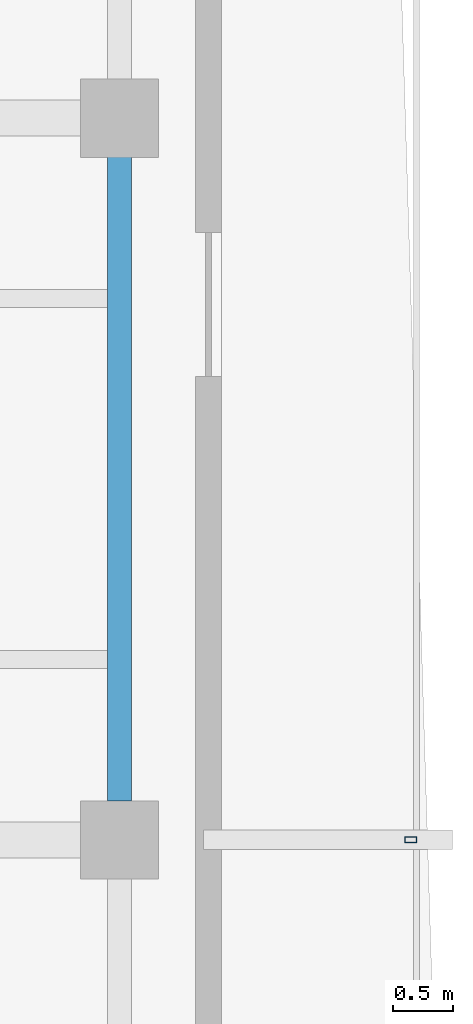
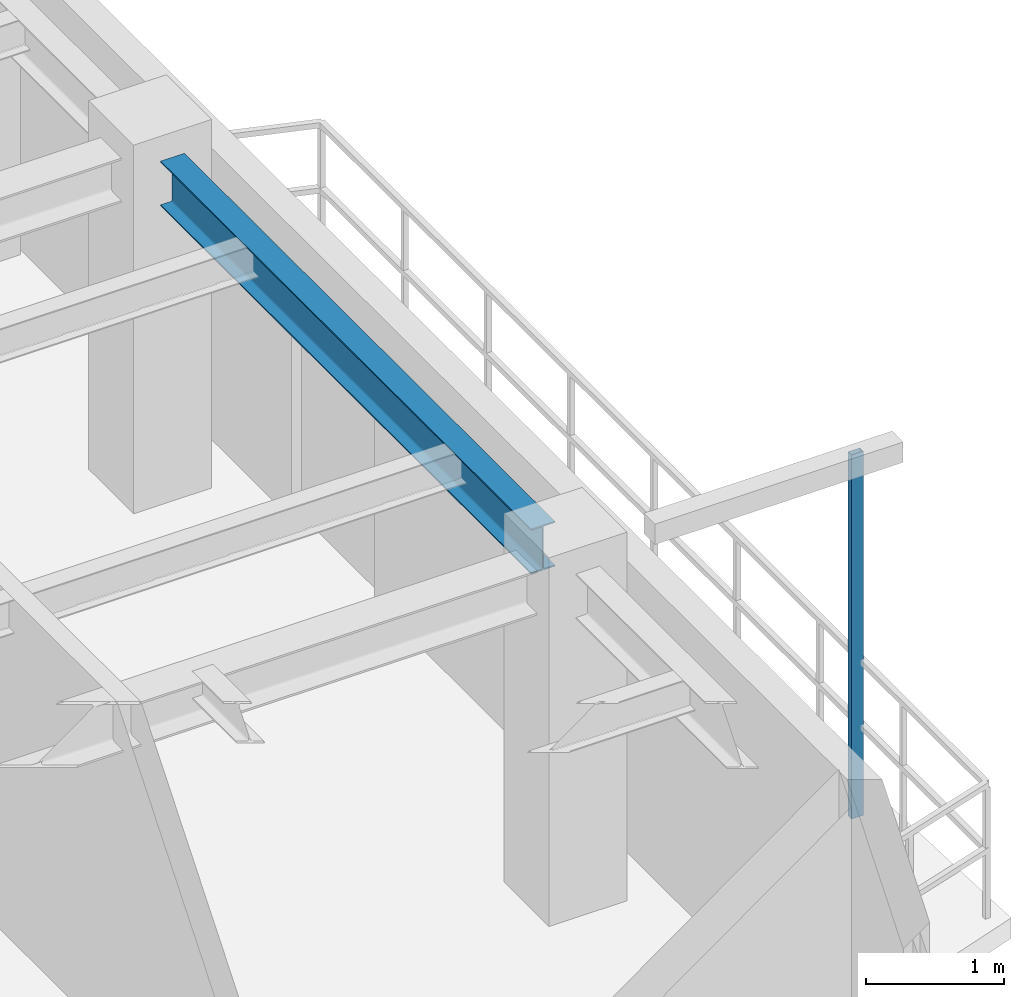
# One storey, part 7 of 14: 1 beam, 1 member.
"""IFC4 building model written with IfcOpenShell, lengths in metres."""

from ifc_helpers import new_model, si_unit, direction, frame, origin, origin_2d, place, context, subcontext, project, spatial, hollow_rectangle, i_section, extrude, source, transform, mapped, material, material_profile, profile_set, type_object, element, save


model = new_model("IFC4")

# Units and contexts
model_context = context("Model", 3, precision=1e-05, world=origin(), true_north=direction((0.0, 1.0)))
body_context = subcontext(model_context, "Body", "Model", "MODEL_VIEW")
ifc_project = project(units=[si_unit("LENGTHUNIT", "METRE"), si_unit("AREAUNIT", "SQUARE_METRE"), si_unit("VOLUMEUNIT", "CUBIC_METRE"), si_unit("PLANEANGLEUNIT", "RADIAN"), si_unit("MASSUNIT", "GRAM", prefix="KILO"), si_unit("THERMODYNAMICTEMPERATUREUNIT", "KELVIN"), si_unit("POWERUNIT", "WATT")], contexts=[model_context])

# Site, building, storey
site_placement = place(None, origin())
site = spatial("IfcSite", under=ifc_project, at=site_placement, CompositionType="ELEMENT")
building_placement = place(site_placement, origin())
building = spatial("IfcBuilding", under=site, at=building_placement, Name="Qiaomeng Ring Towers", CompositionType="ELEMENT")
storey_placement = place(building_placement, frame((0.0, 0.0, 260.0)))
storey = spatial("IfcBuildingStorey", under=building, at=storey_placement, Name="L76", CompositionType="ELEMENT", Elevation=260.0)

# Beam
ifc_material_1 = material(Name="Steel Q355B", Category="steel")
ifc_material_profile_1 = material_profile(ifc_material_1, i_section(OverallWidth=0.198974609375, OverallDepth=0.39599609375, WebThickness=0.007080078125, FlangeThickness=0.010986328125, FilletRadius=0.01611328125, at=origin_2d()), Name="HN 396x199x7x11")
ifc_profile_set_1 = profile_set([ifc_material_profile_1], Name="Steel Q355B")
beam_type = type_object("IfcBeamType", Name="STR-BM-HN396", PredefinedType="SPANDREL", material=ifc_profile_set_1)
shared_shape_1 = source(origin(), body_context, "Body", "SweptSolid", [
    extrude(i_section(OverallWidth=0.198974609375, OverallDepth=0.39599609375, WebThickness=0.007080078125, FlangeThickness=0.010986328125, FilletRadius=0.01611328125, at=origin_2d()), origin(), (0.0, 0.0, 1.0), 5.35205078125),
])
beam_placement = place(storey_placement, frame((33.85009765625, 20.323974609375, 2.83203125), z_axis=(0.0, 1.0, 0.0), x_axis=(-1.0, 0.0, 0.0)))
element("IfcBeam", 1, at=beam_placement, inside=storey, type_object=beam_type, Name="L76 beam STR-SP-L76-T1-E2-E3", PredefinedType="SPANDREL", context=body_context, shape_type="MappedRepresentation", body=[
    mapped(shared_shape_1, transform((0.0, 0.0, 0.0), x_axis=(1.0, 0.0, 0.0), y_axis=(0.0, 1.0, 0.0), z_axis=(0.0, 0.0, 1.0), scale=1.0)),
])

# Member
ifc_material_2 = material(Name="Stainless steel 316", Category="steel")
ifc_material_profile_2 = material_profile(ifc_material_2, hollow_rectangle(XDim=0.050048828125, YDim=0.10009765625, WallThickness=0.00390625, at=origin_2d()), Name="SS TRELLIS 100x50")
ifc_profile_set_2 = profile_set([ifc_material_profile_2], Name="Stainless steel 316")
member_type = type_object("IfcMemberType", Name="ARC-TR-POST2", PredefinedType="STUD", material=ifc_profile_set_2)
shared_shape_2 = source(origin(), body_context, "Body", "SweptSolid", [
    extrude(hollow_rectangle(XDim=0.050048828125, YDim=0.10009765625, WallThickness=0.00390625, at=origin_2d()), origin(), (0.0, 0.0, 1.0), 3.2099609375),
])
member_placement = place(storey_placement, frame((36.27001953125, 20.0, -0.179931640625), z_axis=(0.0, 0.0, 1.0), x_axis=(0.0, 1.0, 0.0)))
element("IfcMember", 2, at=member_placement, inside=storey, type_object=member_type, Name="L76 Outer Ventilated Trellis Post E", PredefinedType="STUD", context=body_context, shape_type="MappedRepresentation", body=[
    mapped(shared_shape_2, transform((0.0, 0.0, 0.0), x_axis=(1.0, 0.0, 0.0), y_axis=(0.0, 1.0, 0.0), z_axis=(0.0, 0.0, 1.0), scale=1.0)),
])

save(model, "model.ifc")
